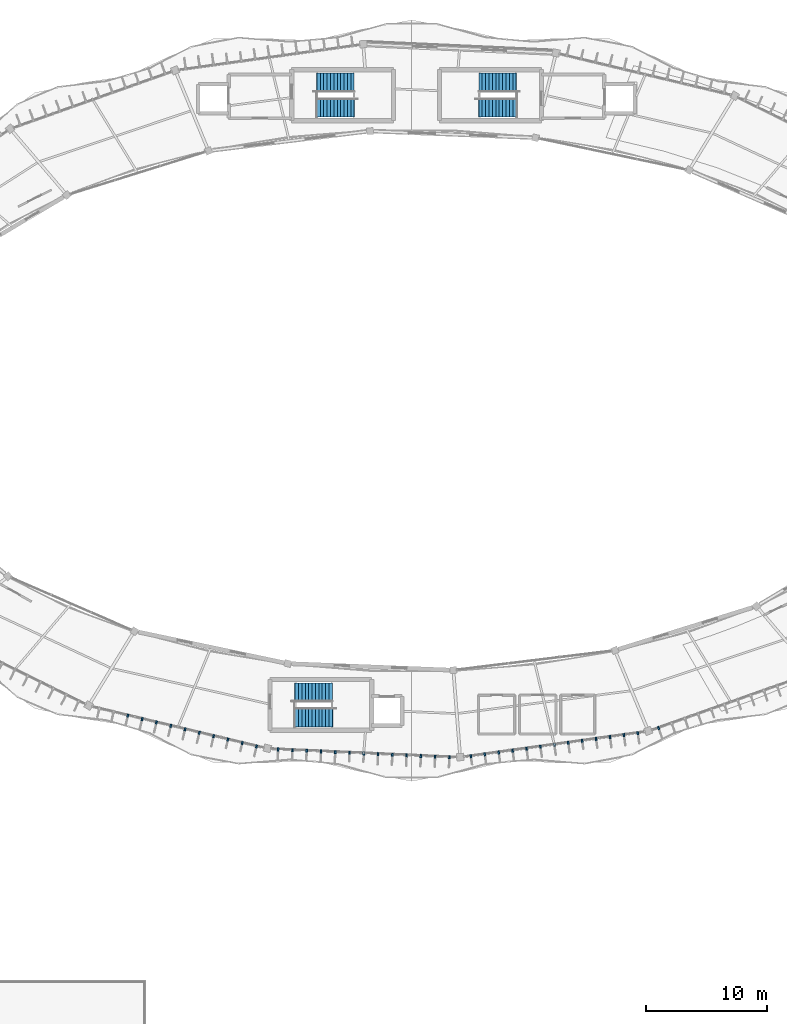
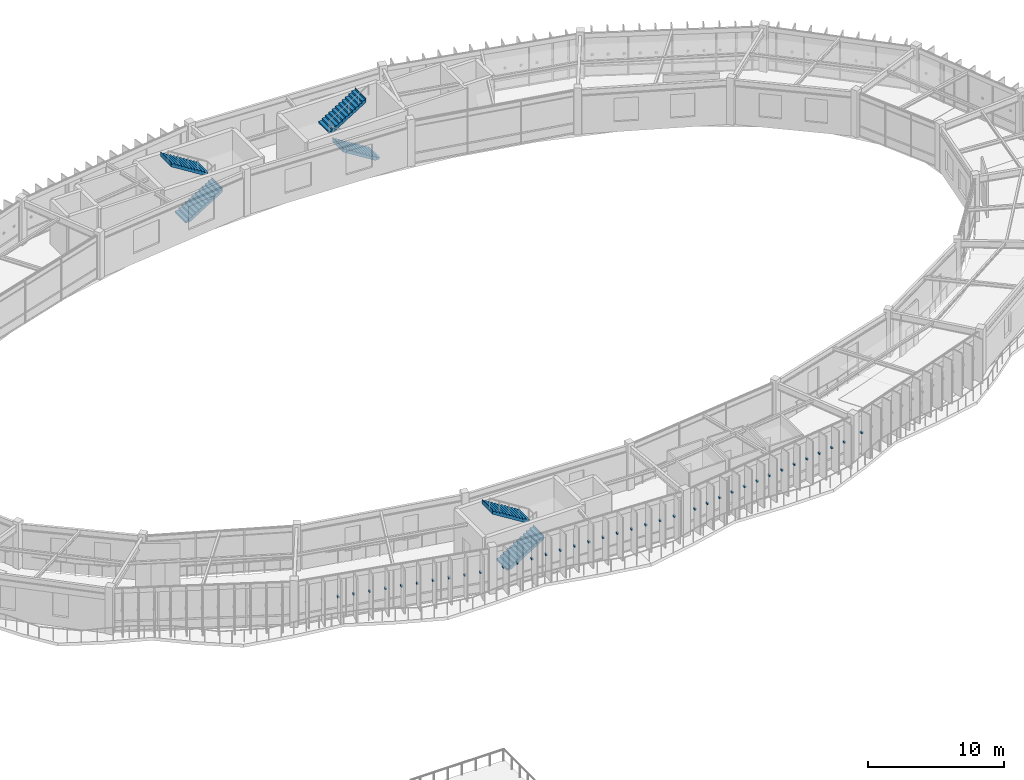
# One storey, part 72 of 83: 37 discrete accessories, 6 stair flights, 3 elements without a shape of their own.
"""IFC4 building model written with IfcOpenShell, lengths in metres."""

from ifc_helpers import new_model, si_unit, direction, frame, origin, origin_2d, place, context, subcontext, project, spatial, polyline, rectangle, outline, extrude, material, type_object, element, aggregate, save


model = new_model("IFC4")

# Units and contexts
model_context = context("Model", 3, precision=1e-05, world=origin(), true_north=direction((0.0, 1.0)))
body_context = subcontext(model_context, "Body", "Model", "MODEL_VIEW")
ifc_project = project(units=[si_unit("LENGTHUNIT", "METRE"), si_unit("AREAUNIT", "SQUARE_METRE"), si_unit("VOLUMEUNIT", "CUBIC_METRE"), si_unit("PLANEANGLEUNIT", "RADIAN"), si_unit("MASSUNIT", "GRAM", prefix="KILO"), si_unit("THERMODYNAMICTEMPERATUREUNIT", "KELVIN"), si_unit("POWERUNIT", "WATT")], contexts=[model_context])

# Site, building, storey
site_placement = place(None, origin())
site = spatial("IfcSite", under=ifc_project, at=site_placement, CompositionType="ELEMENT")
building_placement = place(site_placement, origin())
building = spatial("IfcBuilding", under=site, at=building_placement, Name="Darbajah Civic Hall", CompositionType="ELEMENT")
storey_placement = place(building_placement, frame((0.0, 0.0, 18.0)))
storey = spatial("IfcBuildingStorey", under=building, at=storey_placement, Name="L04", CompositionType="ELEMENT", Elevation=18.0)

# Stair, stair flights
ifc_material_1 = material(Name="Concrete C45/55", Category="concrete")
stair_type = type_object("IfcStairType", Name="Half Turn Stair 1650x4200", PredefinedType="HALF_TURN_STAIR", material=ifc_material_1)
stair_1_placement = place(storey_placement, origin())
stair_1 = element("IfcStair", 1, at=stair_1_placement, inside=storey, type_object=stair_type, Name="L04 enclosed exit stair ST01", PredefinedType="HALF_TURN_STAIR")
ifc_material_2 = material(Name="Precast Concrete C45/55", Category="concrete")
stair_flight_type = type_object("IfcStairFlightType", Name="Stair Flight 12R 280G", PredefinedType="STRAIGHT", material=ifc_material_2)
stair_flight_1_placement = place(storey_placement, frame((81.280029296875, 113.965087890625, 0.0), z_axis=(0.0, 0.0, 1.0), x_axis=(1.0, 0.0, 0.0)))
stair_flight_1 = element("IfcStairFlight", 2, at=stair_flight_1_placement, type_object=stair_flight_type, Name="ST01 L04 lower flight", NumberOfRisers=12, NumberOfTreads=11, PredefinedType="STRAIGHT", RiserHeight=0.175, TreadLength=0.28, context=body_context, shape_type="SweptSolid", body=[
    extrude(outline(polyline([(0.0, 0.0), (0.0, 0.175048828125), (0.280029296875, 0.175048828125), (0.280029296875, 0.35009765625), (0.56005859375, 0.35009765625), (0.56005859375, 0.52490234375), (0.840087890625, 0.52490234375), (0.840087890625, 0.699951171875), (1.1201171875, 0.699951171875), (1.1201171875, 0.875), (1.39990234375, 0.875), (1.39990234375, 1.050048828125), (1.679931640625, 1.050048828125), (1.679931640625, 1.22509765625), (1.9599609375, 1.22509765625), (1.9599609375, 1.39990234375), (2.239990234375, 1.39990234375), (2.239990234375, 1.574951171875), (2.52001953125, 1.574951171875), (2.52001953125, 1.75), (2.800048828125, 1.75), (2.800048828125, 1.925048828125), (3.080078125, 1.925048828125), (3.080078125, 2.10009765625), (3.1201171875, 2.10009765625), (3.1201171875, 1.712890625), (0.37939453125, 0.0), (0.0, 0.0)])), frame((0.0, 0.77490234375, 0.0), z_axis=(0.0, -1.0, 0.0), x_axis=(1.0, 0.0, 0.0)), (0.0, 0.0, 1.0), 1.550048828125),
])
stair_flight_2_placement = place(storey_placement, frame((84.360107421875, 116.034912109375, 2.10009765625), z_axis=(0.0, 0.0, 1.0), x_axis=(-1.0, 0.0, 0.0)))
stair_flight_2 = element("IfcStairFlight", 3, at=stair_flight_2_placement, type_object=stair_flight_type, Name="ST01 L04 upper flight", NumberOfRisers=12, NumberOfTreads=11, PredefinedType="STRAIGHT", RiserHeight=0.175, TreadLength=0.28, context=body_context, shape_type="SweptSolid", body=[
    extrude(outline(polyline([(0.0, 0.0), (0.0, 0.175048828125), (0.280029296875, 0.175048828125), (0.280029296875, 0.35009765625), (0.56005859375, 0.35009765625), (0.56005859375, 0.52490234375), (0.840087890625, 0.52490234375), (0.840087890625, 0.699951171875), (1.1201171875, 0.699951171875), (1.1201171875, 0.875), (1.39990234375, 0.875), (1.39990234375, 1.050048828125), (1.679931640625, 1.050048828125), (1.679931640625, 1.22509765625), (1.9599609375, 1.22509765625), (1.9599609375, 1.39990234375), (2.239990234375, 1.39990234375), (2.239990234375, 1.574951171875), (2.52001953125, 1.574951171875), (2.52001953125, 1.75), (2.800048828125, 1.75), (2.800048828125, 1.925048828125), (3.080078125, 1.925048828125), (3.080078125, 2.10009765625), (3.1201171875, 2.10009765625), (3.1201171875, 1.712890625), (0.37939453125, 0.0), (0.0, 0.0)])), frame((0.0, 0.77490234375, 0.0), z_axis=(0.0, -1.0, 0.0), x_axis=(1.0, 0.0, 0.0)), (0.0, 0.0, 1.0), 1.550048828125),
])
aggregate(stair_1, [stair_flight_1, stair_flight_2])

stair_2_placement = place(storey_placement, origin())
stair_2 = element("IfcStair", 4, at=stair_2_placement, inside=storey, type_object=stair_type, Name="L04 enclosed exit stair ST02", PredefinedType="HALF_TURN_STAIR")
stair_flight_3_placement = place(storey_placement, frame((97.719970703125, 113.965087890625, 0.0), z_axis=(0.0, 0.0, 1.0), x_axis=(-1.0, 0.0, 0.0)))
stair_flight_3 = element("IfcStairFlight", 5, at=stair_flight_3_placement, type_object=stair_flight_type, Name="ST02 L04 lower flight", NumberOfRisers=12, NumberOfTreads=11, PredefinedType="STRAIGHT", RiserHeight=0.175, TreadLength=0.28, context=body_context, shape_type="SweptSolid", body=[
    extrude(outline(polyline([(0.0, 0.0), (0.0, 0.175048828125), (0.280029296875, 0.175048828125), (0.280029296875, 0.35009765625), (0.56005859375, 0.35009765625), (0.56005859375, 0.52490234375), (0.840087890625, 0.52490234375), (0.840087890625, 0.699951171875), (1.1201171875, 0.699951171875), (1.1201171875, 0.875), (1.39990234375, 0.875), (1.39990234375, 1.050048828125), (1.679931640625, 1.050048828125), (1.679931640625, 1.22509765625), (1.9599609375, 1.22509765625), (1.9599609375, 1.39990234375), (2.239990234375, 1.39990234375), (2.239990234375, 1.574951171875), (2.52001953125, 1.574951171875), (2.52001953125, 1.75), (2.800048828125, 1.75), (2.800048828125, 1.925048828125), (3.080078125, 1.925048828125), (3.080078125, 2.10009765625), (3.1201171875, 2.10009765625), (3.1201171875, 1.712890625), (0.37939453125, 0.0), (0.0, 0.0)])), frame((0.0, 0.77490234375, 0.0), z_axis=(0.0, -1.0, 0.0), x_axis=(1.0, 0.0, 0.0)), (0.0, 0.0, 1.0), 1.550048828125),
])
stair_flight_4_placement = place(storey_placement, frame((94.639892578125, 116.034912109375, 2.10009765625), z_axis=(0.0, 0.0, 1.0), x_axis=(1.0, 0.0, 0.0)))
stair_flight_4 = element("IfcStairFlight", 6, at=stair_flight_4_placement, type_object=stair_flight_type, Name="ST02 L04 upper flight", NumberOfRisers=12, NumberOfTreads=11, PredefinedType="STRAIGHT", RiserHeight=0.175, TreadLength=0.28, context=body_context, shape_type="SweptSolid", body=[
    extrude(outline(polyline([(0.0, 0.0), (0.0, 0.175048828125), (0.280029296875, 0.175048828125), (0.280029296875, 0.35009765625), (0.56005859375, 0.35009765625), (0.56005859375, 0.52490234375), (0.840087890625, 0.52490234375), (0.840087890625, 0.699951171875), (1.1201171875, 0.699951171875), (1.1201171875, 0.875), (1.39990234375, 0.875), (1.39990234375, 1.050048828125), (1.679931640625, 1.050048828125), (1.679931640625, 1.22509765625), (1.9599609375, 1.22509765625), (1.9599609375, 1.39990234375), (2.239990234375, 1.39990234375), (2.239990234375, 1.574951171875), (2.52001953125, 1.574951171875), (2.52001953125, 1.75), (2.800048828125, 1.75), (2.800048828125, 1.925048828125), (3.080078125, 1.925048828125), (3.080078125, 2.10009765625), (3.1201171875, 2.10009765625), (3.1201171875, 1.712890625), (0.37939453125, 0.0), (0.0, 0.0)])), frame((0.0, 0.77490234375, 0.0), z_axis=(0.0, -1.0, 0.0), x_axis=(1.0, 0.0, 0.0)), (0.0, 0.0, 1.0), 1.550048828125),
])
aggregate(stair_2, [stair_flight_3, stair_flight_4])

stair_3_placement = place(storey_placement, origin())
stair_3 = element("IfcStair", 7, at=stair_3_placement, inside=storey, type_object=stair_type, Name="L04 enclosed exit stair ST03", PredefinedType="HALF_TURN_STAIR")
stair_flight_5_placement = place(storey_placement, frame((79.47998046875, 63.6650390625, 0.0), z_axis=(0.0, 0.0, 1.0), x_axis=(1.0, 0.0, 0.0)))
stair_flight_5 = element("IfcStairFlight", 8, at=stair_flight_5_placement, type_object=stair_flight_type, Name="ST03 L04 lower flight", NumberOfRisers=12, NumberOfTreads=11, PredefinedType="STRAIGHT", RiserHeight=0.175, TreadLength=0.28, context=body_context, shape_type="SweptSolid", body=[
    extrude(outline(polyline([(0.0, 0.0), (0.0, 0.175048828125), (0.280029296875, 0.175048828125), (0.280029296875, 0.35009765625), (0.56005859375, 0.35009765625), (0.56005859375, 0.52490234375), (0.840087890625, 0.52490234375), (0.840087890625, 0.699951171875), (1.1201171875, 0.699951171875), (1.1201171875, 0.875), (1.39990234375, 0.875), (1.39990234375, 1.050048828125), (1.679931640625, 1.050048828125), (1.679931640625, 1.22509765625), (1.9599609375, 1.22509765625), (1.9599609375, 1.39990234375), (2.239990234375, 1.39990234375), (2.239990234375, 1.574951171875), (2.52001953125, 1.574951171875), (2.52001953125, 1.75), (2.800048828125, 1.75), (2.800048828125, 1.925048828125), (3.080078125, 1.925048828125), (3.080078125, 2.10009765625), (3.1201171875, 2.10009765625), (3.1201171875, 1.712890625), (0.37939453125, 0.0), (0.0, 0.0)])), frame((0.0, 0.77490234375, 0.0), z_axis=(0.0, -1.0, 0.0), x_axis=(1.0, 0.0, 0.0)), (0.0, 0.0, 1.0), 1.550048828125),
])
stair_flight_6_placement = place(storey_placement, frame((82.56005859375, 65.735107421875, 2.10009765625), z_axis=(0.0, 0.0, 1.0), x_axis=(-1.0, 0.0, 0.0)))
stair_flight_6 = element("IfcStairFlight", 9, at=stair_flight_6_placement, type_object=stair_flight_type, Name="ST03 L04 upper flight", NumberOfRisers=12, NumberOfTreads=11, PredefinedType="STRAIGHT", RiserHeight=0.175, TreadLength=0.28, context=body_context, shape_type="SweptSolid", body=[
    extrude(outline(polyline([(0.0, 0.0), (0.0, 0.175048828125), (0.280029296875, 0.175048828125), (0.280029296875, 0.35009765625), (0.56005859375, 0.35009765625), (0.56005859375, 0.52490234375), (0.840087890625, 0.52490234375), (0.840087890625, 0.699951171875), (1.1201171875, 0.699951171875), (1.1201171875, 0.875), (1.39990234375, 0.875), (1.39990234375, 1.050048828125), (1.679931640625, 1.050048828125), (1.679931640625, 1.22509765625), (1.9599609375, 1.22509765625), (1.9599609375, 1.39990234375), (2.239990234375, 1.39990234375), (2.239990234375, 1.574951171875), (2.52001953125, 1.574951171875), (2.52001953125, 1.75), (2.800048828125, 1.75), (2.800048828125, 1.925048828125), (3.080078125, 1.925048828125), (3.080078125, 2.10009765625), (3.1201171875, 2.10009765625), (3.1201171875, 1.712890625), (0.37939453125, 0.0), (0.0, 0.0)])), frame((0.0, 0.77490234375, 0.0), z_axis=(0.0, -1.0, 0.0), x_axis=(1.0, 0.0, 0.0)), (0.0, 0.0, 1.0), 1.550048828125),
])
aggregate(stair_3, [stair_flight_5, stair_flight_6])

# Discrete accessories
ifc_material_3 = material(Name="Stainless Steel S355JR", Category="steel")
discrete_accessory_type = type_object("IfcDiscreteAccessoryType", Name="Stainless Facade Support Bracket", PredefinedType="BRACKET", material=ifc_material_3)
for number, where, z_axis, x_axis, name in (
    (10, (65.68115234375, 63.81201171875, 1.89013671875), (0.0, 0.0, 1.0), (-0.232936200179, -0.972492018808, 0.0), "L04 shading fin bracket 13-3"),
    (11, (66.860595703125, 63.529296875, 1.89013671875), (0.0, 0.0, 1.0), (-0.232936200179, -0.972492018808, 0.0), "L04 shading fin bracket 13-4"),
    (12, (68.040283203125, 63.24658203125, 1.89013671875), (0.0, 0.0, 1.0), (-0.232936200179, -0.972492018808, 0.0), "L04 shading fin bracket 13-5"),
    (13, (69.2197265625, 62.964111328125, 1.89013671875), (0.0, 0.0, 1.0), (-0.232936200179, -0.972492018808, 0.0), "L04 shading fin bracket 13-6"),
    (14, (70.399169921875, 62.681396484375, 1.89013671875), (0.0, 0.0, 1.0), (-0.232936200179, -0.972492018808, 0.0), "L04 shading fin bracket 13-7"),
    (15, (71.578857421875, 62.39892578125, 1.89013671875), (0.0, 0.0, 1.0), (-0.232936200179, -0.972492018808, 0.0), "L04 shading fin bracket 13-8"),
    (16, (72.75830078125, 62.1162109375, 1.89013671875), (0.0, 0.0, 1.0), (-0.232936200179, -0.972492018808, 0.0), "L04 shading fin bracket 13-9"),
    (17, (73.937744140625, 61.833740234375, 1.89013671875), (0.0, 0.0, 1.0), (-0.232936200179, -0.972492018808, 0.0), "L04 shading fin bracket 13-10"),
    (18, (75.1171875, 61.551025390625, 1.89013671875), (0.0, 0.0, 1.0), (-0.232936200179, -0.972492018808, 0.0), "L04 shading fin bracket 13-11"),
    (19, (76.296875, 61.2685546875, 1.89013671875), (0.0, 0.0, 1.0), (-0.232936200179, -0.972492018808, 0.0), "L04 shading fin bracket 13-12"),
    (20, (78.081787109375, 61.0146484375, 1.89013671875), (0.0, 0.0, 1.0), (-0.045537340693, -0.998962637241, 0.0), "L04 shading fin bracket 14-1"),
    (21, (79.259033203125, 60.961181640625, 1.89013671875), (0.0, 0.0, 1.0), (-0.045537340693, -0.998962637241, 0.0), "L04 shading fin bracket 14-2"),
    (22, (80.436279296875, 60.907470703125, 1.89013671875), (0.0, 0.0, 1.0), (-0.045537340693, -0.998962637241, 0.0), "L04 shading fin bracket 14-3"),
    (23, (81.613525390625, 60.85400390625, 1.89013671875), (0.0, 0.0, 1.0), (-0.045537340693, -0.998962637241, 0.0), "L04 shading fin bracket 14-4"),
    (24, (82.790771484375, 60.80029296875, 1.89013671875), (0.0, 0.0, 1.0), (-0.045537340693, -0.998962637241, 0.0), "L04 shading fin bracket 14-5"),
    (25, (83.968017578125, 60.74658203125, 1.89013671875), (0.0, 0.0, 1.0), (-0.045537340693, -0.998962637241, 0.0), "L04 shading fin bracket 14-6"),
    (26, (85.14501953125, 60.693115234375, 1.89013671875), (0.0, 0.0, 1.0), (-0.045537340693, -0.998962637241, 0.0), "L04 shading fin bracket 14-7"),
    (27, (86.322265625, 60.639404296875, 1.89013671875), (0.0, 0.0, 1.0), (-0.045537340693, -0.998962637241, 0.0), "L04 shading fin bracket 14-8"),
    (28, (87.49951171875, 60.5859375, 1.89013671875), (0.0, 0.0, 1.0), (-0.045537340693, -0.998962637241, 0.0), "L04 shading fin bracket 14-9"),
    (29, (88.6767578125, 60.5322265625, 1.89013671875), (0.0, 0.0, 1.0), (-0.045537340693, -0.998962637241, 0.0), "L04 shading fin bracket 14-10"),
    (30, (89.85400390625, 60.478759765625, 1.89013671875), (0.0, 0.0, 1.0), (-0.045537340693, -0.998962637241, 0.0), "L04 shading fin bracket 14-11"),
    (31, (91.03125, 60.425048828125, 1.89013671875), (0.0, 0.0, 1.0), (-0.045537340693, -0.998962637241, 0.0), "L04 shading fin bracket 14-12"),
    (32, (92.20849609375, 60.37158203125, 1.89013671875), (0.0, 0.0, 1.0), (-0.045537340693, -0.998962637241, 0.0), "L04 shading fin bracket 14-13"),
    (33, (93.982421875, 60.45263671875, 1.89013671875), (0.0, 0.0, 1.0), (0.137617420457, -0.990485459553, 0.0), "L04 shading fin bracket 15-1"),
    (34, (95.1298828125, 60.612060546875, 1.89013671875), (0.0, 0.0, 1.0), (0.137617420457, -0.990485459553, 0.0), "L04 shading fin bracket 15-2"),
    (35, (96.277587890625, 60.771484375, 1.89013671875), (0.0, 0.0, 1.0), (0.137617420457, -0.990485459553, 0.0), "L04 shading fin bracket 15-3"),
    (36, (97.4248046875, 60.9306640625, 1.89013671875), (0.0, 0.0, 1.0), (0.137617420457, -0.990485459553, 0.0), "L04 shading fin bracket 15-4"),
    (37, (98.572509765625, 61.090087890625, 1.89013671875), (0.0, 0.0, 1.0), (0.137617420457, -0.990485459553, 0.0), "L04 shading fin bracket 15-5"),
    (38, (99.719970703125, 61.24951171875, 1.89013671875), (0.0, 0.0, 1.0), (0.137617420457, -0.990485459553, 0.0), "L04 shading fin bracket 15-6"),
    (39, (100.867431640625, 61.40869140625, 1.89013671875), (0.0, 0.0, 1.0), (0.137617420457, -0.990485459553, 0.0), "L04 shading fin bracket 15-7"),
    (40, (102.014892578125, 61.568115234375, 1.89013671875), (0.0, 0.0, 1.0), (0.137617420457, -0.990485459553, 0.0), "L04 shading fin bracket 15-8"),
    (41, (103.162353515625, 61.7275390625, 1.89013671875), (0.0, 0.0, 1.0), (0.137617420457, -0.990485459553, 0.0), "L04 shading fin bracket 15-9"),
    (42, (104.309814453125, 61.886962890625, 1.89013671875), (0.0, 0.0, 1.0), (0.137617420457, -0.990485459553, 0.0), "L04 shading fin bracket 15-10"),
    (43, (105.457275390625, 62.04638671875, 1.89013671875), (0.0, 0.0, 1.0), (0.137617420457, -0.990485459553, 0.0), "L04 shading fin bracket 15-11"),
    (44, (106.604736328125, 62.20556640625, 1.89013671875), (0.0, 0.0, 1.0), (0.137617420457, -0.990485459553, 0.0), "L04 shading fin bracket 15-12"),
    (45, (107.752197265625, 62.364990234375, 1.89013671875), (0.0, 0.0, 1.0), (0.137617420457, -0.990485459553, 0.0), "L04 shading fin bracket 15-13"),
    (46, (109.464599609375, 62.782470703125, 1.89013671875), (0.0, 0.0, 1.0), (0.334135882844, -0.94252491309, 0.0), "L04 shading fin bracket 16-1"),
):
    element("IfcDiscreteAccessory", number, at=place(storey_placement, frame(where, z_axis=z_axis, x_axis=x_axis)), inside=storey, type_object=discrete_accessory_type, Name=name, PredefinedType="BRACKET", context=body_context, shape_type="SweptSolid", body=[
        extrude(rectangle(XDim=0.260009765625, YDim=0.139892578125, at=origin_2d()), origin(), (0.0, 0.0, 1.0), 0.139892578125),
    ])

save(model, "model.ifc")
